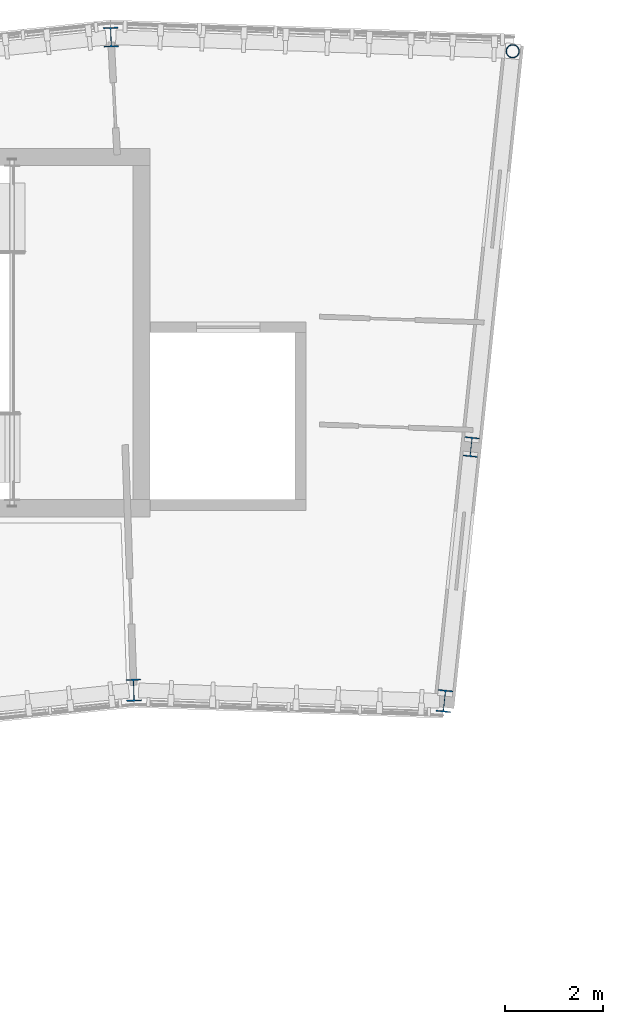
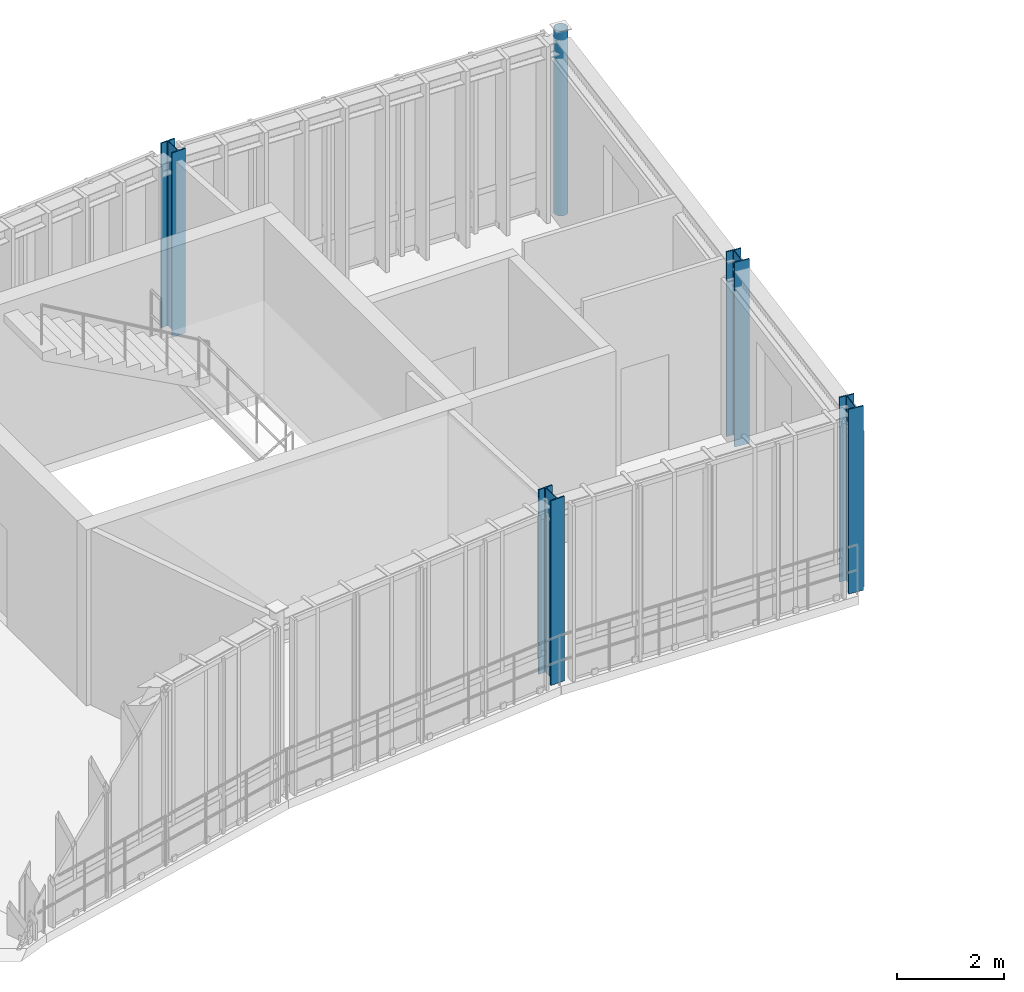
# One storey, part 9 of 52: 5 columns.
"""IFC4 building model written with IfcOpenShell, lengths in metres."""

from ifc_helpers import new_model, si_unit, direction, frame, origin, origin_2d, place, context, subcontext, project, spatial, hollow_circle, i_section, extrude, material, material_profile, profile_set, type_object, element, save


model = new_model("IFC4")

# Units and contexts
model_context = context("Model", 3, precision=1e-05, world=origin(), true_north=direction((0.0, 1.0)))
body_context = subcontext(model_context, "Body", "Model", "MODEL_VIEW")
ifc_project = project(units=[si_unit("LENGTHUNIT", "METRE"), si_unit("AREAUNIT", "SQUARE_METRE"), si_unit("VOLUMEUNIT", "CUBIC_METRE"), si_unit("PLANEANGLEUNIT", "RADIAN"), si_unit("MASSUNIT", "GRAM", prefix="KILO"), si_unit("THERMODYNAMICTEMPERATUREUNIT", "KELVIN"), si_unit("POWERUNIT", "WATT")], contexts=[model_context])

# Site, building, storey
site_placement = place(None, origin())
site = spatial("IfcSite", under=ifc_project, at=site_placement, CompositionType="ELEMENT")
building_placement = place(site_placement, origin())
building = spatial("IfcBuilding", under=site, at=building_placement, Name="Solvatero Civic Police Headquarters", CompositionType="ELEMENT")
storey_placement = place(building_placement, frame((0.0, 0.0, 13.5)))
storey = spatial("IfcBuildingStorey", under=building, at=storey_placement, Name="L03", CompositionType="ELEMENT", Elevation=13.5)

# Columns
ifc_material = material(Name="Steel S355", Category="steel")
ifc_material_profile_1 = material_profile(ifc_material, hollow_circle(Radius=0.136474609375, WallThickness=0.012451171875, at=origin_2d()), Name="CHS 273.0x12.5")
ifc_profile_set_1 = profile_set([ifc_material_profile_1], Name="Steel S355")
column_type_1 = type_object("IfcColumnType", Name="COL-ST-CHS273", PredefinedType="COLUMN", material=ifc_profile_set_1)
column_placement = place(storey_placement, frame((100.130615234375, 84.32861328125, 0.0), z_axis=(0.0, 0.0, 1.0), x_axis=(0.994521895368, -0.104528463268, 0.0)))
element("IfcColumn", 1, at=column_placement, inside=storey, type_object=column_type_1, Name="Column ARC-S00-OUT L03", PredefinedType="COLUMN", context=body_context, shape_type="SweptSolid", body=[
    extrude(hollow_circle(Radius=0.136474609375, WallThickness=0.012451171875, at=origin_2d()), origin(), (0.0, 0.0, 1.0), 4.199951171875),
])
ifc_material_profile_2 = material_profile(ifc_material, i_section(OverallWidth=0.300048828125, OverallDepth=0.39990234375, WebThickness=0.013427734375, FlangeThickness=0.02392578125, FilletRadius=0.027099609375, at=origin_2d()), Name="HEB 400")
ifc_profile_set_2 = profile_set([ifc_material_profile_2], Name="Steel S355")
column_type_2 = type_object("IfcColumnType", Name="COL-ST-HEB400", PredefinedType="COLUMN", material=ifc_profile_set_2)
for number, where, z_axis, x_axis, name in (
    (2, (99.283935546875, 76.273193359375, 0.0), (0.0, 0.0, 1.0), (0.994521895368, -0.104528463268, 0.0), "Column ARC-S00-MID L03"),
    (3, (91.953125, 84.6142578125, 0.0), (0.0, 0.0, 1.0), (0.999390827019, 0.034899496703, 0.0), "Column ARC-S01-OUT L03"),
):
    element("IfcColumn", number, at=place(storey_placement, frame(where, z_axis=z_axis, x_axis=x_axis)), inside=storey, type_object=column_type_2, Name=name, PredefinedType="COLUMN", context=body_context, shape_type="SweptSolid", body=[
        extrude(i_section(OverallWidth=0.300048828125, OverallDepth=0.39990234375, WebThickness=0.013427734375, FlangeThickness=0.02392578125, FilletRadius=0.027099609375, at=origin_2d()), origin(), (0.0, 0.0, 1.0), 4.199951171875),
    ])
ifc_material_profile_3 = material_profile(ifc_material, i_section(OverallWidth=0.300048828125, OverallDepth=0.449951171875, WebThickness=0.013916015625, FlangeThickness=0.02587890625, FilletRadius=0.027099609375, at=origin_2d()), Name="HEB 450")
ifc_profile_set_3 = profile_set([ifc_material_profile_3], Name="Steel S355")
column_type_3 = type_object("IfcColumnType", Name="COL-ST-HEB450", PredefinedType="COLUMN", material=ifc_profile_set_3)
for number, where, z_axis, x_axis, name in (
    (4, (98.740478515625, 71.1015625, 0.0), (0.0, 0.0, 1.0), (0.994521895368, -0.104528463268, 0.0), "Column ARC-S00-IN L03"),
    (5, (92.417236328125, 71.322509765625, 0.0), (0.0, 0.0, 1.0), (0.999390827019, 0.034899496703, 0.0), "Column ARC-S01-IN L03"),
):
    element("IfcColumn", number, at=place(storey_placement, frame(where, z_axis=z_axis, x_axis=x_axis)), inside=storey, type_object=column_type_3, Name=name, PredefinedType="COLUMN", context=body_context, shape_type="SweptSolid", body=[
        extrude(i_section(OverallWidth=0.300048828125, OverallDepth=0.449951171875, WebThickness=0.013916015625, FlangeThickness=0.02587890625, FilletRadius=0.027099609375, at=origin_2d()), origin(), (0.0, 0.0, 1.0), 4.199951171875),
    ])

save(model, "model.ifc")
